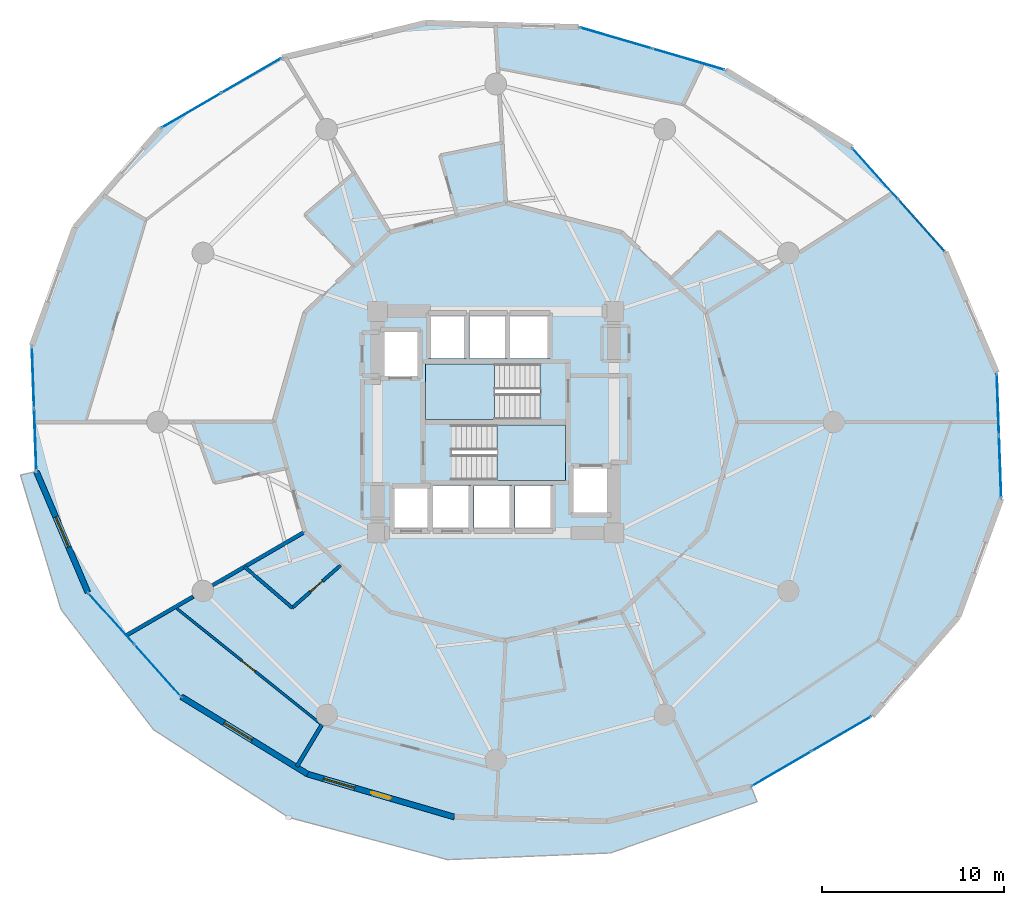
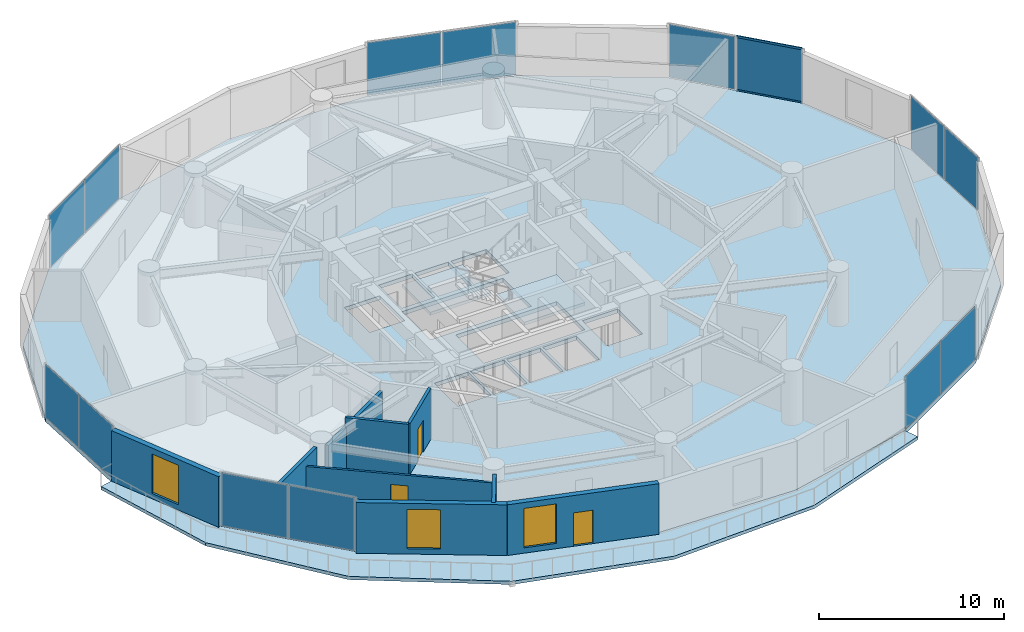
# One storey, part 16 of 23: 14 plates, 9 walls, 4 slabs, 3 doors, 3 windows, 2 members, 6 openings, 9 elements without a shape of their own.
"""IFC4 building model written with IfcOpenShell, lengths in metres."""

from ifc_helpers import new_model, si_unit, direction, frame, frame_2d, origin, origin_2d, place, context, subcontext, project, spatial, polyline, rectangle, hollow_rectangle, outline, extrude, source, transform, mapped, material, layer, layer_set, material_profile, profile_set, type_object, element, fill, aggregate, save


model = new_model("IFC4")

# Units and contexts
model_context = context("Model", 3, precision=1e-05, world=origin(), true_north=direction((0.0, 1.0)))
body_context = subcontext(model_context, "Body", "Model", "MODEL_VIEW")
ifc_project = project(units=[si_unit("LENGTHUNIT", "METRE"), si_unit("AREAUNIT", "SQUARE_METRE"), si_unit("VOLUMEUNIT", "CUBIC_METRE"), si_unit("PLANEANGLEUNIT", "RADIAN"), si_unit("MASSUNIT", "GRAM", prefix="KILO")], contexts=[model_context])

# Site, building, storey
site_placement = place(None, origin())
site = spatial("IfcSite", under=ifc_project, at=site_placement, CompositionType="ELEMENT")
building_placement = place(site_placement, origin())
building = spatial("IfcBuilding", under=site, at=building_placement, Name="Solvirekh Grand Hotel", CompositionType="ELEMENT")
storey_placement = place(building_placement, frame((0.0, 0.0, 42.800048828125)))
storey = spatial("IfcBuildingStorey", under=building, at=storey_placement, Name="L09", CompositionType="ELEMENT", Elevation=42.800048828125)

# Curtain wall, members
ifc_material_1 = material(Name="Anodized Bronze Aluminium 6063-T6", Category="aluminium")
ifc_layer_1 = layer(ifc_material_1, 0.18994140625)
ifc_layer_set_1 = layer_set([ifc_layer_1], Name="Anodized Bronze Aluminium 6063-T6")
curtain_wall_type = type_object("IfcCurtainWallType", Name="CW_Sys2_LowZoneFlushBronzeCW", PredefinedType="NOTDEFINED", material=ifc_layer_set_1)
curtain_wall_1_placement = place(storey_placement, origin())
curtain_wall_1 = element("IfcCurtainWall", 1, at=curtain_wall_1_placement, inside=storey, type_object=curtain_wall_type, Name="L09 unitised bronze-glass curtain wall CW-L09-C03", PredefinedType="NOTDEFINED")
ifc_material_profile = material_profile(ifc_material_1, hollow_rectangle(XDim=0.06005859375, YDim=0.135009765625, WallThickness=0.00390625, at=origin_2d()), Name="ALU RHS 135X60X4")
ifc_profile_set = profile_set([ifc_material_profile], Name="Anodized Bronze Aluminium 6063-T6")
member_type = type_object("IfcMemberType", Name="CWTransom_Sys2", PredefinedType="USERDEFINED", material=ifc_profile_set)
shared_shape_1 = source(origin(), body_context, "Body", "SweptSolid", [
    extrude(hollow_rectangle(XDim=0.06005859375, YDim=0.135009765625, WallThickness=0.00390625, at=origin_2d()), origin(), (0.0, 0.0, 1.0), 3.74755859375),
])
member_1_placement = place(storey_placement, frame((24.6943359375, 9.423095703125, 0.030029296875), z_axis=(-0.667383094545, 0.744714579631, 0.0), x_axis=(-0.744714579631, -0.667383094545, 0.0)))
member_1 = element("IfcMember", 2, at=member_1_placement, type_object=member_type, Name="U02 transom 1.1", ObjectType="TRANSOM", PredefinedType="USERDEFINED", context=body_context, shape_type="MappedRepresentation", body=[
    mapped(shared_shape_1, transform((0.0, 0.0, 0.0), x_axis=(1.0, 0.0, 0.0), y_axis=(0.0, 1.0, 0.0), z_axis=(0.0, 0.0, 1.0), scale=1.0)),
])
member_2_placement = place(storey_placement, frame((24.6943359375, 9.423095703125, 3.570068359375), z_axis=(-0.667383094545, 0.744714579631, 0.0), x_axis=(-0.744714579631, -0.667383094545, 0.0)))
member_2 = element("IfcMember", 3, at=member_2_placement, type_object=member_type, Name="U02 transom 1.2", ObjectType="TRANSOM", PredefinedType="USERDEFINED", context=body_context, shape_type="MappedRepresentation", body=[
    mapped(shared_shape_1, transform((0.0, 0.0, 0.0), x_axis=(1.0, 0.0, 0.0), y_axis=(0.0, 1.0, 0.0), z_axis=(0.0, 0.0, 1.0), scale=1.0)),
])

# Slab
ifc_material_2 = material(Name="Concrete C50/60", Category="concrete")
ifc_layer_2 = layer(ifc_material_2, 0.215087890625)
ifc_layer_set_2 = layer_set([ifc_layer_2], Name="Concrete C50/60")
slab_type_1 = type_object("IfcSlabType", Name="ExtCrescentBalc_215", PredefinedType="FLOOR", material=ifc_layer_set_2)
slab_1_placement = place(storey_placement, frame((0.0, 0.0, -0.215087890625)))
element("IfcSlab", 4, at=slab_1_placement, inside=storey, type_object=slab_type_1, Name="L09 sweeping crescent balcony slab", PredefinedType="FLOOR", context=body_context, shape_type="SweptSolid", body=[
    extrude(outline(polyline([(-26.152099609375, -2.9150390625), (-23.9130859375, -10.318115234375), (-18.81005859375, -16.93798828125), (-11.39892578125, -21.748046875), (-2.64599609375, -24.074951171875), (6.31201171875, -23.7080078125), (14.386962890625, -20.888916015625), (14.054931640625, -20.052978515625), (6.133056640625, -21.967041015625), (-2.27587890625, -21.73193359375), (-10.35009765625, -19.367919921875), (-17.299072265625, -15.10888671875), (-22.44091796875, -9.37109375), (-25.27392578125, -2.716064453125), (-26.152099609375, -2.9150390625)])), origin(), (0.0, 0.0, 1.0), 0.215087890625),
])

# Stair, slab
ifc_material_3 = material(Name="Concrete C40/50", Category="concrete")
stair_type = type_object("IfcStairType", Name="Stair_Core_1450", PredefinedType="HALF_TURN_STAIR", material=ifc_material_3)
stair_1_placement = place(storey_placement, origin())
stair_1 = element("IfcStair", 5, at=stair_1_placement, inside=storey, type_object=stair_type, Name="L09 Enclosed exit stair ST-1", PredefinedType="HALF_TURN_STAIR")
ifc_layer_3 = layer(ifc_material_3, 0.199951171875)
ifc_layer_set_3 = layer_set([ifc_layer_3], Name="Concrete C40/50")
slab_type_2 = type_object("IfcSlabType", Name="Landing_Stair_200", PredefinedType="LANDING", material=ifc_layer_set_3)
slab_2_placement = place(storey_placement, frame((0.0, 0.0, 1.599853515625)))
slab_2 = element("IfcSlab", 6, at=slab_2_placement, type_object=slab_type_2, Name="ST-1 landing 1", PredefinedType="LANDING", context=body_context, shape_type="SweptSolid", body=[
    extrude(outline(polyline([(0.070068359375, -3.199951171875), (3.85009765625, -3.199951171875), (3.85009765625, -0.14990234375), (0.070068359375, -0.14990234375), (0.070068359375, -3.199951171875)])), origin(), (0.0, 0.0, 1.0), 0.2001953125),
])
aggregate(stair_1, [slab_2])

stair_2_placement = place(storey_placement, origin())
stair_2 = element("IfcStair", 7, at=stair_2_placement, inside=storey, type_object=stair_type, Name="L09 Enclosed exit stair ST-2", PredefinedType="HALF_TURN_STAIR")
slab_3_placement = place(storey_placement, frame((0.0, 0.0, 1.599853515625)))
slab_3 = element("IfcSlab", 8, at=slab_3_placement, type_object=slab_type_2, Name="ST-2 landing 1", PredefinedType="LANDING", context=body_context, shape_type="SweptSolid", body=[
    extrude(outline(polyline([(-0.070068359375, 3.199951171875), (-3.85009765625, 3.199951171875), (-3.85009765625, 0.14990234375), (-0.070068359375, 0.14990234375), (-0.070068359375, 3.199951171875)])), origin(), (0.0, 0.0, 1.0), 0.2001953125),
])
aggregate(stair_2, [slab_3])

# Slab
ifc_layer_4 = layer(ifc_material_2, 0.260009765625)
ifc_layer_set_4 = layer_set([ifc_layer_4], Name="Concrete C50/60")
slab_type_3 = type_object("IfcSlabType", Name="Slab_GuestZ1_260", PredefinedType="FLOOR", material=ifc_layer_set_4)
slab_4_placement = place(storey_placement, frame((0.0, 0.0, -0.260009765625)))
element("IfcSlab", 9, at=slab_4_placement, inside=storey, type_object=slab_type_3, Name="L09 structural floor slab", PredefinedType="FLOOR", context=body_context, shape_type="SweptSolid", body=[
    extrude(outline(polyline([(27.821044921875, -4.205078125), (27.573974609375, 2.716064453125), (24.740966796875, 9.37109375), (19.59912109375, 15.10888671875), (12.64990234375, 19.367919921875), (4.575927734375, 21.73193359375), (-3.8330078125, 21.967041015625), (-11.7548828125, 20.052978515625), (-18.4130859375, 16.175048828125), (-23.156005859375, 10.715087890625), (-25.52099609375, 4.205078125), (-25.27392578125, -2.716064453125), (-22.44091796875, -9.37109375), (-17.299072265625, -15.10888671875), (-10.35009765625, -19.367919921875), (-2.27587890625, -21.73193359375), (6.133056640625, -21.967041015625), (14.054931640625, -20.052978515625), (20.712890625, -16.175048828125), (25.4560546875, -10.715087890625), (27.821044921875, -4.205078125)]), holes=[polyline([(-2.444091796875, -0.14990234375), (3.85009765625, -0.14990234375), (3.85009765625, -3.199951171875), (-2.444091796875, -3.199951171875), (-2.444091796875, -0.14990234375)]), polyline([(2.444091796875, 0.14990234375), (-3.85009765625, 0.14990234375), (-3.85009765625, 3.199951171875), (2.444091796875, 3.199951171875), (2.444091796875, 0.14990234375)]), polyline([(-5.699951171875, -3.5), (-3.60009765625, -3.5), (-3.60009765625, -6.0), (-5.699951171875, -6.0), (-5.699951171875, -3.5)]), polyline([(-3.449951171875, -3.5), (-1.35009765625, -3.5), (-1.35009765625, -6.0), (-3.449951171875, -6.0), (-3.449951171875, -3.5)]), polyline([(-1.199951171875, -3.5), (0.89990234375, -3.5), (0.89990234375, -6.0), (-1.199951171875, -6.0), (-1.199951171875, -3.5)]), polyline([(1.050048828125, -3.5), (3.14990234375, -3.5), (3.14990234375, -6.0), (1.050048828125, -6.0), (1.050048828125, -3.5)]), polyline([(-3.699951171875, 6.0), (-1.60009765625, 6.0), (-1.60009765625, 3.5), (-3.699951171875, 3.5), (-3.699951171875, 6.0)]), polyline([(-1.449951171875, 6.0), (0.64990234375, 6.0), (0.64990234375, 3.5), (-1.449951171875, 3.5), (-1.449951171875, 6.0)]), polyline([(0.800048828125, 6.0), (3.0, 6.0), (3.0, 3.5), (0.800048828125, 3.5), (0.800048828125, 6.0)]), polyline([(-6.35009765625, 5.10009765625), (-4.14990234375, 5.10009765625), (-4.14990234375, 2.39990234375), (-6.35009765625, 2.39990234375), (-6.35009765625, 5.10009765625)]), polyline([(4.14990234375, -2.39990234375), (6.35009765625, -2.39990234375), (6.35009765625, -5.10009765625), (4.14990234375, -5.10009765625), (4.14990234375, -2.39990234375)])]), origin(), (0.0, 0.0, 1.0), 0.260009765625),
])

# Curtain wall, plates
curtain_wall_2_placement = place(storey_placement, origin())
curtain_wall_2 = element("IfcCurtainWall", 10, at=curtain_wall_2_placement, inside=storey, type_object=curtain_wall_type, Name="L09 unitised bronze-glass curtain wall CW-L09-C05", PredefinedType="NOTDEFINED")
ifc_material_4 = material(Name="Low-E Tinted Bronze Laminated Glass", Category="aluminium")
ifc_layer_5 = layer(ifc_material_4, 0.0380859375)
ifc_layer_set_5 = layer_set([ifc_layer_5], Name="Low-E Tinted Bronze Laminated Glass")
plate_type = type_object("IfcPlateType", Name="CWPanel_Low_38", PredefinedType="CURTAIN_PANEL", material=ifc_layer_set_5)
shared_shape_2 = source(origin(), body_context, "Body", "SweptSolid", [
    extrude(rectangle(XDim=4.1015625, YDim=0.0380859375, at=origin_2d()), origin(), (0.0, 0.0, 1.0), 3.47998046875),
])
plate_1_placement = place(storey_placement, frame((10.61474609375, 19.9638671875, 0.06005859375), z_axis=(0.0, 0.0, 1.0), x_axis=(-0.959709265583, 0.280994885282, 0.0)))
plate_1 = element("IfcPlate", 11, at=plate_1_placement, type_object=plate_type, Name="U02 panel 1.1", PredefinedType="CURTAIN_PANEL", context=body_context, shape_type="MappedRepresentation", body=[
    mapped(shared_shape_2, transform((0.0, 0.0, 0.0), x_axis=(1.0, 0.0, 0.0), y_axis=(0.0, 1.0, 0.0), z_axis=(0.0, 0.0, 1.0), scale=1.0)),
])
plate_2_placement = place(storey_placement, frame((6.611328125, 21.135986328125, 0.06005859375), z_axis=(0.0, 0.0, 1.0), x_axis=(-0.959709265583, 0.280994885282, 0.0)))
plate_2 = element("IfcPlate", 12, at=plate_2_placement, type_object=plate_type, Name="U02 panel 2.1", PredefinedType="CURTAIN_PANEL", context=body_context, shape_type="MappedRepresentation", body=[
    mapped(shared_shape_2, transform((0.0, 0.0, 0.0), x_axis=(1.0, 0.0, 0.0), y_axis=(0.0, 1.0, 0.0), z_axis=(0.0, 0.0, 1.0), scale=1.0)),
])
aggregate(curtain_wall_2, [plate_1, plate_2])

curtain_wall_3_placement = place(storey_placement, origin())
curtain_wall_3 = element("IfcCurtainWall", 13, at=curtain_wall_3_placement, inside=storey, type_object=curtain_wall_type, Name="L09 unitised bronze-glass curtain wall CW-L09-C08", PredefinedType="NOTDEFINED")
shared_shape_3 = source(origin(), body_context, "Body", "SweptSolid", [
    extrude(rectangle(XDim=3.74755859375, YDim=0.0380859375, at=origin_2d()), origin(), (0.0, 0.0, 1.0), 3.47998046875),
])
plate_3_placement = place(storey_placement, frame((-13.4345703125, 19.07470703125, 0.06005859375), z_axis=(0.0, 0.0, 1.0), x_axis=(-0.864108222042, -0.503306050629, 0.0)))
plate_3 = element("IfcPlate", 14, at=plate_3_placement, type_object=plate_type, Name="U02 panel 1.1", PredefinedType="CURTAIN_PANEL", context=body_context, shape_type="MappedRepresentation", body=[
    mapped(shared_shape_3, transform((0.0, 0.0, 0.0), x_axis=(1.0, 0.0, 0.0), y_axis=(0.0, 1.0, 0.0), z_axis=(0.0, 0.0, 1.0), scale=1.0)),
])
plate_4_placement = place(storey_placement, frame((-16.7333984375, 17.1533203125, 0.06005859375), z_axis=(0.0, 0.0, 1.0), x_axis=(-0.864108222042, -0.503306050629, 0.0)))
plate_4 = element("IfcPlate", 15, at=plate_4_placement, type_object=plate_type, Name="U02 panel 2.1", PredefinedType="CURTAIN_PANEL", context=body_context, shape_type="MappedRepresentation", body=[
    mapped(shared_shape_3, transform((0.0, 0.0, 0.0), x_axis=(1.0, 0.0, 0.0), y_axis=(0.0, 1.0, 0.0), z_axis=(0.0, 0.0, 1.0), scale=1.0)),
])
aggregate(curtain_wall_3, [plate_3, plate_4])

curtain_wall_4_placement = place(storey_placement, origin())
curtain_wall_4 = element("IfcCurtainWall", 16, at=curtain_wall_4_placement, inside=storey, type_object=curtain_wall_type, Name="L09 unitised bronze-glass curtain wall CW-L09-C18", PredefinedType="NOTDEFINED")
plate_5_placement = place(storey_placement, frame((15.734619140625, -19.07470703125, 0.06005859375), z_axis=(0.0, 0.0, 1.0), x_axis=(0.864108222042, 0.503306050629, 0.0)))
plate_5 = element("IfcPlate", 17, at=plate_5_placement, type_object=plate_type, Name="U02 panel 1.1", PredefinedType="CURTAIN_PANEL", context=body_context, shape_type="MappedRepresentation", body=[
    mapped(shared_shape_3, transform((0.0, 0.0, 0.0), x_axis=(1.0, 0.0, 0.0), y_axis=(0.0, 1.0, 0.0), z_axis=(0.0, 0.0, 1.0), scale=1.0)),
])
plate_6_placement = place(storey_placement, frame((19.033447265625, -17.1533203125, 0.06005859375), z_axis=(0.0, 0.0, 1.0), x_axis=(0.864108222042, 0.503306050629, 0.0)))
plate_6 = element("IfcPlate", 18, at=plate_6_placement, type_object=plate_type, Name="U02 panel 2.1", PredefinedType="CURTAIN_PANEL", context=body_context, shape_type="MappedRepresentation", body=[
    mapped(shared_shape_3, transform((0.0, 0.0, 0.0), x_axis=(1.0, 0.0, 0.0), y_axis=(0.0, 1.0, 0.0), z_axis=(0.0, 0.0, 1.0), scale=1.0)),
])
aggregate(curtain_wall_4, [plate_5, plate_6])

curtain_wall_5_placement = place(storey_placement, origin())
curtain_wall_5 = element("IfcCurtainWall", 19, at=curtain_wall_5_placement, inside=storey, type_object=curtain_wall_type, Name="L09 unitised bronze-glass curtain wall CW-L09-C01", PredefinedType="NOTDEFINED")
shared_shape_4 = source(origin(), body_context, "Body", "SweptSolid", [
    extrude(rectangle(XDim=3.357666015625, YDim=0.0380859375, at=origin_2d()), origin(), (0.0, 0.0, 1.0), 3.47998046875),
])
plate_7_placement = place(storey_placement, frame((27.758544921875, -2.457275390625, 0.06005859375), z_axis=(0.0, 0.0, 1.0), x_axis=(-0.035665778374, 0.999363773735, 0.0)))
plate_7 = element("IfcPlate", 20, at=plate_7_placement, type_object=plate_type, Name="U02 panel 1.1", PredefinedType="CURTAIN_PANEL", context=body_context, shape_type="MappedRepresentation", body=[
    mapped(shared_shape_4, transform((0.0, 0.0, 0.0), x_axis=(1.0, 0.0, 0.0), y_axis=(0.0, 1.0, 0.0), z_axis=(0.0, 0.0, 1.0), scale=1.0)),
])
plate_8_placement = place(storey_placement, frame((27.636474609375, 0.96826171875, 0.06005859375), z_axis=(0.0, 0.0, 1.0), x_axis=(-0.035665778374, 0.999363773735, 0.0)))
plate_8 = element("IfcPlate", 21, at=plate_8_placement, type_object=plate_type, Name="U02 panel 2.1", PredefinedType="CURTAIN_PANEL", context=body_context, shape_type="MappedRepresentation", body=[
    mapped(shared_shape_4, transform((0.0, 0.0, 0.0), x_axis=(1.0, 0.0, 0.0), y_axis=(0.0, 1.0, 0.0), z_axis=(0.0, 0.0, 1.0), scale=1.0)),
])
aggregate(curtain_wall_5, [plate_7, plate_8])

curtain_wall_6_placement = place(storey_placement, origin())
curtain_wall_6 = element("IfcCurtainWall", 22, at=curtain_wall_6_placement, inside=storey, type_object=curtain_wall_type, Name="L09 unitised bronze-glass curtain wall CW-L09-C11", PredefinedType="NOTDEFINED")
plate_9_placement = place(storey_placement, frame((-25.458740234375, 2.457275390625, 0.06005859375), z_axis=(0.0, 0.0, 1.0), x_axis=(0.035665778374, -0.999363773735, 0.0)))
plate_9 = element("IfcPlate", 23, at=plate_9_placement, type_object=plate_type, Name="U02 panel 1.1", PredefinedType="CURTAIN_PANEL", context=body_context, shape_type="MappedRepresentation", body=[
    mapped(shared_shape_4, transform((0.0, 0.0, 0.0), x_axis=(1.0, 0.0, 0.0), y_axis=(0.0, 1.0, 0.0), z_axis=(0.0, 0.0, 1.0), scale=1.0)),
])
plate_10_placement = place(storey_placement, frame((-25.33642578125, -0.96826171875, 0.06005859375), z_axis=(0.0, 0.0, 1.0), x_axis=(0.035665778374, -0.999363773735, 0.0)))
plate_10 = element("IfcPlate", 24, at=plate_10_placement, type_object=plate_type, Name="U02 panel 2.1", PredefinedType="CURTAIN_PANEL", context=body_context, shape_type="MappedRepresentation", body=[
    mapped(shared_shape_4, transform((0.0, 0.0, 0.0), x_axis=(1.0, 0.0, 0.0), y_axis=(0.0, 1.0, 0.0), z_axis=(0.0, 0.0, 1.0), scale=1.0)),
])
aggregate(curtain_wall_6, [plate_9, plate_10])

# Plate
shared_shape_5 = source(origin(), body_context, "Body", "SweptSolid", [
    extrude(rectangle(XDim=3.747314453125, YDim=0.0380859375, at=origin_2d()), origin(), (0.0, 0.0, 1.0), 3.47998046875),
])
plate_11_placement = place(storey_placement, frame((23.44384765625, 10.818603515625, 0.06005859375), z_axis=(0.0, 0.0, 1.0), x_axis=(-0.667371319152, 0.744725132095, 0.0)))
plate_11 = element("IfcPlate", 25, at=plate_11_placement, type_object=plate_type, Name="U02 panel 1.1", PredefinedType="CURTAIN_PANEL", context=body_context, shape_type="MappedRepresentation", body=[
    mapped(shared_shape_5, transform((0.0, 0.0, 0.0), x_axis=(1.0, 0.0, 0.0), y_axis=(0.0, 1.0, 0.0), z_axis=(0.0, 0.0, 1.0), scale=1.0)),
])

plate_12_placement = place(storey_placement, frame((20.896240234375, 13.661376953125, 0.06005859375), z_axis=(0.0, 0.0, 1.0), x_axis=(-0.667371319152, 0.744725132095, 0.0)))
plate_12 = element("IfcPlate", 26, at=plate_12_placement, type_object=plate_type, Name="U02 panel 2.1", PredefinedType="CURTAIN_PANEL", context=body_context, shape_type="MappedRepresentation", body=[
    mapped(shared_shape_5, transform((0.0, 0.0, 0.0), x_axis=(1.0, 0.0, 0.0), y_axis=(0.0, 1.0, 0.0), z_axis=(0.0, 0.0, 1.0), scale=1.0)),
])

aggregate(curtain_wall_1, [member_1, member_2, plate_11, plate_12])

# Curtain wall, plates
curtain_wall_7_placement = place(storey_placement, origin())
curtain_wall_7 = element("IfcCurtainWall", 27, at=curtain_wall_7_placement, inside=storey, type_object=curtain_wall_type, Name="L09 unitised bronze-glass curtain wall CW-L09-C13", PredefinedType="NOTDEFINED")
plate_13_placement = place(storey_placement, frame((-21.143798828125, -10.818603515625, 0.06005859375), z_axis=(0.0, 0.0, 1.0), x_axis=(0.667371319152, -0.744725132095, 0.0)))
plate_13 = element("IfcPlate", 28, at=plate_13_placement, type_object=plate_type, Name="U02 panel 1.1", PredefinedType="CURTAIN_PANEL", context=body_context, shape_type="MappedRepresentation", body=[
    mapped(shared_shape_5, transform((0.0, 0.0, 0.0), x_axis=(1.0, 0.0, 0.0), y_axis=(0.0, 1.0, 0.0), z_axis=(0.0, 0.0, 1.0), scale=1.0)),
])
plate_14_placement = place(storey_placement, frame((-18.59619140625, -13.661376953125, 0.06005859375), z_axis=(0.0, 0.0, 1.0), x_axis=(0.667371319152, -0.744725132095, 0.0)))
plate_14 = element("IfcPlate", 29, at=plate_14_placement, type_object=plate_type, Name="U02 panel 2.1", PredefinedType="CURTAIN_PANEL", context=body_context, shape_type="MappedRepresentation", body=[
    mapped(shared_shape_5, transform((0.0, 0.0, 0.0), x_axis=(1.0, 0.0, 0.0), y_axis=(0.0, 1.0, 0.0), z_axis=(0.0, 0.0, 1.0), scale=1.0)),
])
aggregate(curtain_wall_7, [plate_13, plate_14])

# Wall, opening, window
ifc_material_5 = material(Name="Precast concrete C45/55", Category="concrete")
ifc_layer_6 = layer(ifc_material_5, 0.320068359375)
ifc_layer_set_6 = layer_set([ifc_layer_6], Name="Precast concrete C45/55")
wall_type_1 = type_object("IfcWallType", Name="ExtLobbyWall_RC320", PredefinedType="SOLIDWALL", material=ifc_layer_set_6)
wall_1_placement = place(storey_placement, frame((-22.44091796875, -9.37109375, 0.0), z_axis=(0.0, 0.0, 1.0), x_axis=(-0.391681637704, 0.920100806806, 0.0)))
wall_1 = element("IfcWall", 30, at=wall_1_placement, inside=storey, type_object=wall_type_1, Name="L09 exterior structural wall chord 12", PredefinedType="SOLIDWALL", context=body_context, shape_type="SweptSolid", body=[
    extrude(rectangle(XDim=7.23291015625, YDim=0.320068359375, at=frame_2d((3.616455078125, 0.0))), origin(), (0.0, 0.0, 1.0), 3.33984375),
])
opening_1_placement = place(wall_1_placement, frame((2.716064453125, 0.0, 0.35009765625)))
opening_1 = element("IfcOpeningElement", 31, at=opening_1_placement, cuts=wall_1, Name="Opening W02", PredefinedType="OPENING", context=body_context, shape_type="SweptSolid", body=[
    extrude(rectangle(XDim=1.800048828125, YDim=2.60009765625, at=frame_2d((0.89990234375, 1.300048828125))), frame((0.0, 0.169921875, 0.0), z_axis=(0.0, -1.0, 0.0), x_axis=(1.0, 0.0, 0.0)), (0.0, 0.0, 1.0), 0.340087890625),
])
window_type = type_object("IfcWindowType", Name="Win_LobbyExt_1800X2600", PartitioningType="SINGLE_PANEL", PredefinedType="WINDOW", material=ifc_material_4)
window_1_placement = place(opening_1_placement, origin())
window_1 = element("IfcWindow", 32, at=window_1_placement, inside=storey, type_object=window_type, Name="L09 panoramic bronze-framed window 12", OverallHeight=2.60009765625, OverallWidth=1.800048828125, PartitioningType="SINGLE_PANEL", PredefinedType="WINDOW", context=body_context, shape_type="SweptSolid", body=[
    extrude(rectangle(XDim=1.800048828125, YDim=2.60009765625, at=frame_2d((0.89990234375, 1.300048828125))), frame((0.0, 0.030029296875, 0.0), z_axis=(0.0, -1.0, 0.0), x_axis=(1.0, 0.0, 0.0)), (0.0, 0.0, 1.0), 0.06005859375),
])
fill(opening_1, window_1)

wall_2_placement = place(storey_placement, frame((-10.35009765625, -19.367919921875, 0.0), z_axis=(0.0, 0.0, 1.0), x_axis=(-0.852602113439, 0.522560653091, 0.0)))
wall_2 = element("IfcWall", 33, at=wall_2_placement, inside=storey, type_object=wall_type_1, Name="L09 exterior structural wall chord 14", PredefinedType="SOLIDWALL", context=body_context, shape_type="SweptSolid", body=[
    extrude(rectangle(XDim=8.150390625, YDim=0.320068359375, at=frame_2d((4.0751953125, 0.0))), origin(), (0.0, 0.0, 1.0), 3.33984375),
])
opening_2_placement = place(wall_2_placement, frame((3.5859375, 0.0, 0.35009765625)))
opening_2 = element("IfcOpeningElement", 34, at=opening_2_placement, cuts=wall_2, Name="Opening W02", PredefinedType="OPENING", context=body_context, shape_type="SweptSolid", body=[
    extrude(rectangle(XDim=1.800048828125, YDim=2.60009765625, at=frame_2d((0.89990234375, 1.300048828125))), frame((0.0, 0.169921875, 0.0), z_axis=(0.0, -1.0, 0.0), x_axis=(1.0, 0.0, 0.0)), (0.0, 0.0, 1.0), 0.340087890625),
])
window_2_placement = place(opening_2_placement, origin())
window_2 = element("IfcWindow", 35, at=window_2_placement, inside=storey, type_object=window_type, Name="L09 panoramic bronze-framed window 14", OverallHeight=2.60009765625, OverallWidth=1.800048828125, PartitioningType="SINGLE_PANEL", PredefinedType="WINDOW", context=body_context, shape_type="SweptSolid", body=[
    extrude(rectangle(XDim=1.800048828125, YDim=2.60009765625, at=frame_2d((0.89990234375, 1.300048828125))), frame((0.0, 0.030029296875, 0.0), z_axis=(0.0, -1.0, 0.0), x_axis=(1.0, 0.0, 0.0)), (0.0, 0.0, 1.0), 0.06005859375),
])
fill(opening_2, window_2)

# Wall, openings, door, window
wall_3_placement = place(storey_placement, frame((-2.27587890625, -21.73193359375, 0.0), z_axis=(0.0, 0.0, 1.0), x_axis=(-0.959710880311, 0.280989370285, 0.0)))
wall_3 = element("IfcWall", 36, at=wall_3_placement, inside=storey, type_object=wall_type_1, Name="L09 exterior structural wall chord 15", PredefinedType="SOLIDWALL", context=body_context, shape_type="SweptSolid", body=[
    extrude(rectangle(XDim=8.4130859375, YDim=0.320068359375, at=frame_2d((4.20654296875, 0.0))), origin(), (0.0, 0.0, 1.0), 3.33984375),
])
opening_3_placement = place(wall_3_placement, frame((5.708984375, 0.0, 0.35009765625)))
opening_3 = element("IfcOpeningElement", 37, at=opening_3_placement, cuts=wall_3, Name="Opening W02", PredefinedType="OPENING", context=body_context, shape_type="SweptSolid", body=[
    extrude(rectangle(XDim=1.800048828125, YDim=2.60009765625, at=frame_2d((0.89990234375, 1.300048828125))), frame((0.0, 0.169921875, 0.0), z_axis=(0.0, -1.0, 0.0), x_axis=(1.0, 0.0, 0.0)), (0.0, 0.0, 1.0), 0.340087890625),
])
opening_4_placement = place(wall_3_placement, frame((3.656005859375, 0.0, 0.0)))
opening_4 = element("IfcOpeningElement", 38, at=opening_4_placement, cuts=wall_3, Name="Opening D03", PredefinedType="OPENING", context=body_context, shape_type="SweptSolid", body=[
    extrude(rectangle(XDim=1.10009765625, YDim=2.199951171875, at=frame_2d((0.550048828125, 1.10009765625))), frame((0.0, 0.169921875, 0.0), z_axis=(0.0, -1.0, 0.0), x_axis=(1.0, 0.0, 0.0)), (0.0, 0.0, 1.0), 0.340087890625),
])
door_type_1 = type_object("IfcDoorType", Name="Door_ExtBalcony_1100X2200", OperationType="NOTDEFINED", PredefinedType="DOOR", material=ifc_material_1)
door_1_placement = place(opening_4_placement, origin())
door_1 = element("IfcDoor", 39, at=door_1_placement, inside=storey, type_object=door_type_1, Name="L09 Crescent balcony glazed door (15)", OperationType="SINGLE_SWING_LEFT", OverallHeight=2.199951171875, OverallWidth=1.10009765625, PredefinedType="DOOR", context=body_context, shape_type="SweptSolid", body=[
    extrude(rectangle(XDim=1.10009765625, YDim=2.199951171875, at=frame_2d((0.550048828125, 1.10009765625))), frame((0.0, 0.02490234375, 0.0), z_axis=(0.0, -1.0, 0.0), x_axis=(1.0, 0.0, 0.0)), (0.0, 0.0, 1.0), 0.050048828125),
])
fill(opening_4, door_1)
window_3_placement = place(opening_3_placement, origin())
window_3 = element("IfcWindow", 40, at=window_3_placement, inside=storey, type_object=window_type, Name="L09 exterior side window 15", OverallHeight=2.60009765625, OverallWidth=1.800048828125, PartitioningType="SINGLE_PANEL", PredefinedType="WINDOW", context=body_context, shape_type="SweptSolid", body=[
    extrude(rectangle(XDim=1.800048828125, YDim=2.60009765625, at=frame_2d((0.89990234375, 1.300048828125))), frame((0.0, 0.030029296875, 0.0), z_axis=(0.0, -1.0, 0.0), x_axis=(1.0, 0.0, 0.0)), (0.0, 0.0, 1.0), 0.06005859375),
])
fill(opening_3, window_3)

# Wall, opening, door
ifc_material_6 = material(Name="Acoustic Gypsum Partition Assembly")
ifc_layer_7 = layer(ifc_material_6, 0.135009765625)
ifc_layer_set_7 = layer_set([ifc_layer_7], Name="Acoustic Gypsum Partition Assembly")
wall_type_2 = type_object("IfcWallType", Name="Part_RoomInt_135", PredefinedType="PARTITIONING", material=ifc_layer_set_7)
wall_4_placement = place(storey_placement, frame((-17.64404296875, -10.177978515625, 0.0), z_axis=(0.0, 0.0, 1.0), x_axis=(0.780247491349, -0.625470904394, 0.0)))
wall_4 = element("IfcWall", 41, at=wall_4_placement, inside=storey, type_object=wall_type_2, Name="L09 Executive Suite 1105 Living Room bedroom screen wall", PredefinedType="PARTITIONING", context=body_context, shape_type="SweptSolid", body=[
    extrude(rectangle(XDim=10.35693359375, YDim=0.135009765625, at=frame_2d((5.178466796875, 0.0))), origin(), (0.0, 0.0, 1.0), 2.791015625),
])
opening_5_placement = place(wall_4_placement, frame((4.702880859375, 0.0, 0.0)))
opening_5 = element("IfcOpeningElement", 42, at=opening_5_placement, cuts=wall_4, Name="Opening D10", PredefinedType="OPENING", context=body_context, shape_type="SweptSolid", body=[
    extrude(rectangle(XDim=0.949951171875, YDim=2.10009765625, at=frame_2d((0.47509765625, 1.050048828125))), frame((0.0, 0.07763671875, 0.0), z_axis=(0.0, -1.0, 0.0), x_axis=(1.0, 0.0, 0.0)), (0.0, 0.0, 1.0), 0.155029296875),
])
door_type_2 = type_object("IfcDoorType", Name="Door_RoomInt_950X2100", OperationType="NOTDEFINED", PredefinedType="DOOR", material=ifc_material_1)
door_2_placement = place(opening_5_placement, origin())
door_2 = element("IfcDoor", 43, at=door_2_placement, inside=storey, type_object=door_type_2, Name="L09 Executive Suite 1105 Living Room master bedroom door", OperationType="SINGLE_SWING_LEFT", OverallHeight=2.10009765625, OverallWidth=0.949951171875, PredefinedType="DOOR", context=body_context, shape_type="SweptSolid", body=[
    extrude(rectangle(XDim=0.949951171875, YDim=2.10009765625, at=frame_2d((0.47509765625, 1.050048828125))), frame((0.0, 0.02490234375, 0.0), z_axis=(0.0, -1.0, 0.0), x_axis=(1.0, 0.0, 0.0)), (0.0, 0.0, 1.0), 0.050048828125),
])
fill(opening_5, door_2)

# Walls
ifc_layer_8 = layer(ifc_material_6, 0.2099609375)
ifc_layer_set_8 = layer_set([ifc_layer_8], Name="Acoustic Gypsum Partition Assembly")
wall_type_3 = type_object("IfcWallType", Name="Part_SuiteDemise_210", PredefinedType="PARTITIONING", material=ifc_layer_set_8)
wall_5_placement = place(storey_placement, frame((-10.491943359375, -6.02490234375, 0.0), z_axis=(0.0, 0.0, 1.0), x_axis=(-0.86478894661, -0.502135517387, 0.0)))
element("IfcWall", 44, at=wall_5_placement, inside=storey, type_object=wall_type_3, Name="L09 suite radial wall 8 (A)", PredefinedType="PARTITIONING", context=body_context, shape_type="SweptSolid", body=[
    extrude(rectangle(XDim=5.881103515625, YDim=0.2099609375, at=frame_2d((2.9404296875, 0.0))), origin(), (0.0, 0.0, 1.0), 2.7080078125),
])
wall_6_placement = place(storey_placement, frame((-16.64990234375, -9.60107421875, 0.0), z_axis=(0.0, 0.0, 1.0), x_axis=(-0.86479138464, -0.502131318534, 0.0)))
element("IfcWall", 45, at=wall_6_placement, inside=storey, type_object=wall_type_3, Name="L09 suite radial wall 8 (B)", PredefinedType="PARTITIONING", context=body_context, shape_type="SweptSolid", body=[
    extrude(rectangle(XDim=4.208251953125, YDim=0.2099609375, at=frame_2d((2.10400390625, 0.0))), origin(), (0.0, 0.0, 1.0), 3.33984375),
])
wall_7_placement = place(storey_placement, frame((-9.56298828125, -16.656005859375, 0.0), z_axis=(0.0, 0.0, 1.0), x_axis=(-0.514896971711, -0.857252068252, 0.0)))
element("IfcWall", 46, at=wall_7_placement, inside=storey, type_object=wall_type_3, Name="L09 Executive Suite 1105 Living Room dividing partition 1", PredefinedType="PARTITIONING", context=body_context, shape_type="SweptSolid", body=[
    extrude(rectangle(XDim=2.68408203125, YDim=0.2099609375, at=frame_2d((1.342041015625, 0.0))), origin(), (0.0, 0.0, 1.0), 3.33984375),
])
ifc_layer_9 = layer(ifc_material_6, 0.175048828125)
ifc_layer_set_9 = layer_set([ifc_layer_9], Name="Acoustic Gypsum Partition Assembly")
wall_type_4 = type_object("IfcWallType", Name="Plumb_Ensuite_175", PredefinedType="PLUMBINGWALL", material=ifc_layer_set_9)
wall_8_placement = place(storey_placement, frame((-13.822998046875, -7.958984375, 0.0), z_axis=(0.0, 0.0, 1.0), x_axis=(0.758465196679, -0.65171354553, 0.0)))
element("IfcWall", 47, at=wall_8_placement, inside=storey, type_object=wall_type_4, Name="L09 En-suite Bathroom 1105 outer plumbing wall", PredefinedType="PLUMBINGWALL", context=body_context, shape_type="SweptSolid", body=[
    extrude(rectangle(XDim=3.46484375, YDim=0.175048828125, at=frame_2d((1.732421875, 0.0))), origin(), (0.0, 0.0, 1.0), 3.33984375),
])

# Wall, opening, door
wall_9_placement = place(storey_placement, frame((-8.531982421875, -7.8779296875, 0.0), z_axis=(0.0, 0.0, 1.0), x_axis=(-0.751329434658, -0.6599273298, 0.0)))
wall_9 = element("IfcWall", 48, at=wall_9_placement, inside=storey, type_object=wall_type_4, Name="L09 En-suite Bathroom 1105 entry plumbing wall", PredefinedType="PLUMBINGWALL", context=body_context, shape_type="SweptSolid", body=[
    extrude(rectangle(XDim=3.54443359375, YDim=0.175048828125, at=frame_2d((1.772216796875, 0.0))), origin(), (0.0, 0.0, 1.0), 3.33984375),
])
opening_6_placement = place(wall_9_placement, frame((1.322021484375, 0.0, 0.0)))
opening_6 = element("IfcOpeningElement", 49, at=opening_6_placement, cuts=wall_9, Name="Opening D09", PredefinedType="OPENING", context=body_context, shape_type="SweptSolid", body=[
    extrude(rectangle(XDim=0.89990234375, YDim=2.10009765625, at=frame_2d((0.449951171875, 1.050048828125))), frame((0.0, 0.09765625, 0.0), z_axis=(0.0, -1.0, 0.0), x_axis=(1.0, 0.0, 0.0)), (0.0, 0.0, 1.0), 0.195068359375),
])
door_type_3 = type_object("IfcDoorType", Name="Door_Ensuite_900X2100", OperationType="NOTDEFINED", PredefinedType="DOOR", material=ifc_material_1)
door_3_placement = place(opening_6_placement, origin())
door_3 = element("IfcDoor", 50, at=door_3_placement, inside=storey, type_object=door_type_3, Name="L09 En-suite Bathroom 1105 door", OperationType="SINGLE_SWING_LEFT", OverallHeight=2.10009765625, OverallWidth=0.89990234375, PredefinedType="DOOR", context=body_context, shape_type="SweptSolid", body=[
    extrude(rectangle(XDim=0.89990234375, YDim=2.10009765625, at=frame_2d((0.449951171875, 1.050048828125))), frame((0.0, 0.02490234375, 0.0), z_axis=(0.0, -1.0, 0.0), x_axis=(1.0, 0.0, 0.0)), (0.0, 0.0, 1.0), 0.050048828125),
])
fill(opening_6, door_3)

save(model, "model.ifc")
